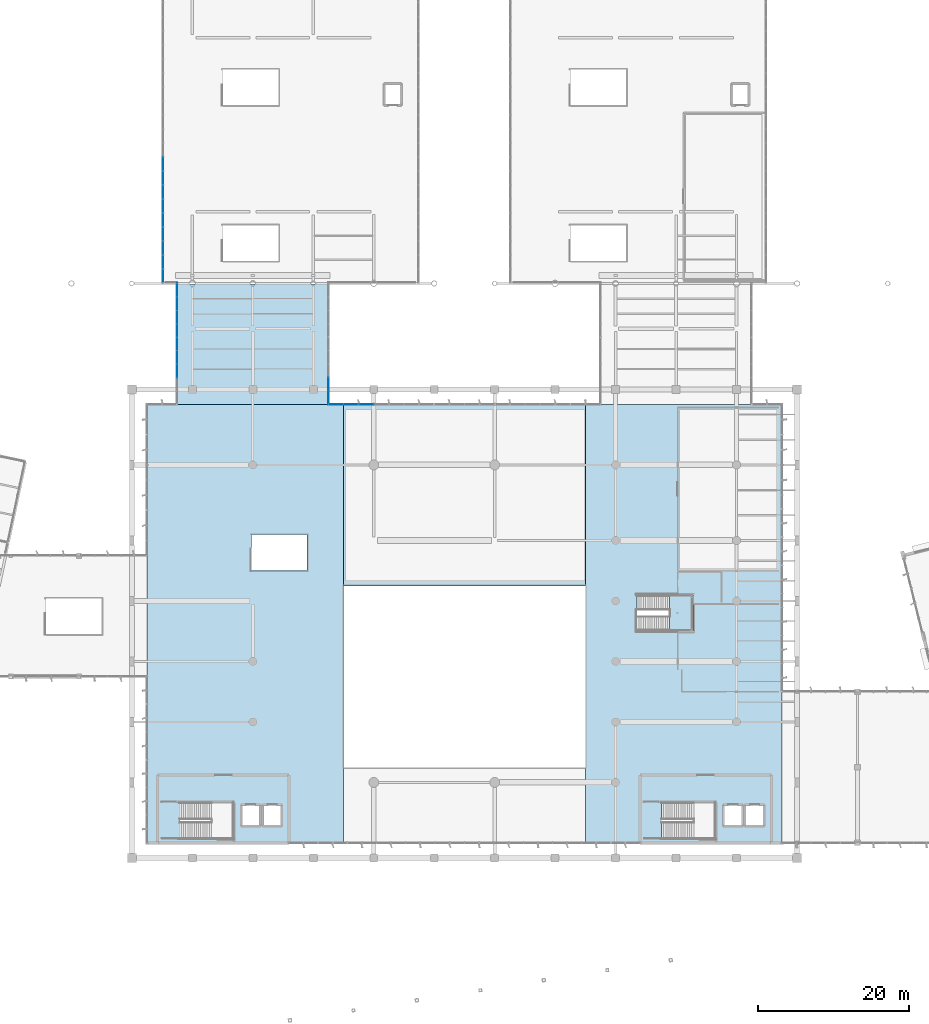
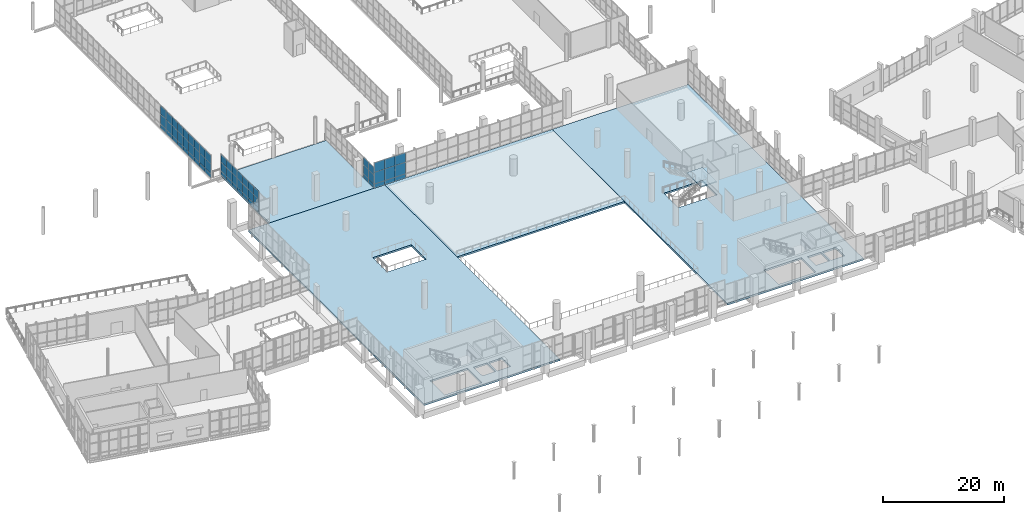
# One storey, part 124 of 176: 63 plates, 5 slabs, 6 elements without a shape of their own.
"""IFC4 building model written with IfcOpenShell, lengths in metres."""

from ifc_helpers import new_model, si_unit, direction, frame, origin, origin_2d, place, context, subcontext, project, spatial, polyline, rectangle, outline, extrude, material, layer, layer_set, type_object, element, aggregate, save


model = new_model("IFC4")

# Units and contexts
model_context = context("Model", 3, precision=1e-05, world=origin(), true_north=direction((0.0, 1.0)))
body_context = subcontext(model_context, "Body", "Model", "MODEL_VIEW")
ifc_project = project(units=[si_unit("LENGTHUNIT", "METRE"), si_unit("AREAUNIT", "SQUARE_METRE"), si_unit("VOLUMEUNIT", "CUBIC_METRE"), si_unit("PLANEANGLEUNIT", "RADIAN"), si_unit("MASSUNIT", "GRAM", prefix="KILO")], contexts=[model_context])

# Site, building, storey
site_placement = place(None, origin())
site = spatial("IfcSite", under=ifc_project, at=site_placement, CompositionType="ELEMENT")
building_placement = place(site_placement, origin())
building = spatial("IfcBuilding", under=site, at=building_placement, Name="Khorjan Park Terminus", CompositionType="ELEMENT")
storey_placement = place(building_placement, frame((0.0, 0.0, 6.0)))
storey = spatial("IfcBuildingStorey", under=building, at=storey_placement, Name="L01", CompositionType="ELEMENT", Elevation=6.0)

# Curtain wall, plates
ifc_material_1 = material(Name="Anodized Bronze Aluminium", Category="aluminium")
ifc_layer_1 = layer(ifc_material_1, 0.22)
ifc_layer_set_1 = layer_set([ifc_layer_1], Name="Anodized Bronze Aluminium")
curtain_wall_type_1 = type_object("IfcCurtainWallType", Name="CW-BRG-D", PredefinedType="NOTDEFINED", material=ifc_layer_set_1)
curtain_wall_1_placement = place(storey_placement, origin())
curtain_wall_1 = element("IfcCurtainWall", 1, at=curtain_wall_1_placement, inside=storey, type_object=curtain_wall_type_1, Name="Unitized curtain wall CW-D (CW-NKW-W-L01)", PredefinedType="NOTDEFINED")
ifc_material_2 = material(Name="Low-E Solar Control Double Glazing", Category="glass")
ifc_layer_2 = layer(ifc_material_2, 0.032)
ifc_layer_set_2 = layer_set([ifc_layer_2], Name="Low-E Solar Control Double Glazing")
plate_type_1 = type_object("IfcPlateType", Name="GL-VIS-32", PredefinedType="CURTAIN_PANEL", material=ifc_layer_set_2)
plate_1_placement = place(storey_placement, frame((54.0, 101.1111, 0.85), z_axis=(0.0, 0.0, 1.0), x_axis=(0.0, -1.0, 0.0)))
plate_1 = element("IfcPlate", 2, at=plate_1_placement, type_object=plate_type_1, Name="Curtain-wall panel VP-32 (CW-NKW-W-L01-0-2)", PredefinedType="CURTAIN_PANEL", context=body_context, shape_type="SweptSolid", body=[
    extrude(rectangle(XDim=1.7778, YDim=0.032, at=origin_2d()), origin(), (0.0, 0.0, 1.0), 1.7695),
])
plate_2_placement = place(storey_placement, frame((54.0, 101.1111, 2.6196), z_axis=(0.0, 0.0, 1.0), x_axis=(0.0, -1.0, 0.0)))
plate_2 = element("IfcPlate", 3, at=plate_2_placement, type_object=plate_type_1, Name="Curtain-wall panel VP-32 (CW-NKW-W-L01-0-3)", PredefinedType="CURTAIN_PANEL", context=body_context, shape_type="SweptSolid", body=[
    extrude(rectangle(XDim=1.7778, YDim=0.032, at=origin_2d()), origin(), (0.0, 0.0, 1.0), 1.6155),
])
plate_3_placement = place(storey_placement, frame((54.0, 99.3333, 0.85), z_axis=(0.0, 0.0, 1.0), x_axis=(0.0, -1.0, 0.0)))
plate_3 = element("IfcPlate", 4, at=plate_3_placement, type_object=plate_type_1, Name="Curtain-wall panel VP-32 (CW-NKW-W-L01-1-2)", PredefinedType="CURTAIN_PANEL", context=body_context, shape_type="SweptSolid", body=[
    extrude(rectangle(XDim=1.7778, YDim=0.032, at=origin_2d()), origin(), (0.0, 0.0, 1.0), 1.7695),
])
plate_4_placement = place(storey_placement, frame((54.0, 99.3333, 2.6196), z_axis=(0.0, 0.0, 1.0), x_axis=(0.0, -1.0, 0.0)))
plate_4 = element("IfcPlate", 5, at=plate_4_placement, type_object=plate_type_1, Name="Curtain-wall panel VP-32 (CW-NKW-W-L01-1-3)", PredefinedType="CURTAIN_PANEL", context=body_context, shape_type="SweptSolid", body=[
    extrude(rectangle(XDim=1.7778, YDim=0.032, at=origin_2d()), origin(), (0.0, 0.0, 1.0), 1.6155),
])
plate_5_placement = place(storey_placement, frame((54.0, 97.5556, 0.85), z_axis=(0.0, 0.0, 1.0), x_axis=(0.0, -1.0, 0.0)))
plate_5 = element("IfcPlate", 6, at=plate_5_placement, type_object=plate_type_1, Name="Curtain-wall panel VP-32 (CW-NKW-W-L01-2-2)", PredefinedType="CURTAIN_PANEL", context=body_context, shape_type="SweptSolid", body=[
    extrude(rectangle(XDim=1.7778, YDim=0.032, at=origin_2d()), origin(), (0.0, 0.0, 1.0), 1.7695),
])
plate_6_placement = place(storey_placement, frame((54.0, 97.5556, 2.6196), z_axis=(0.0, 0.0, 1.0), x_axis=(0.0, -1.0, 0.0)))
plate_6 = element("IfcPlate", 7, at=plate_6_placement, type_object=plate_type_1, Name="Curtain-wall panel VP-32 (CW-NKW-W-L01-2-3)", PredefinedType="CURTAIN_PANEL", context=body_context, shape_type="SweptSolid", body=[
    extrude(rectangle(XDim=1.7778, YDim=0.032, at=origin_2d()), origin(), (0.0, 0.0, 1.0), 1.6155),
])
plate_7_placement = place(storey_placement, frame((54.0, 95.7778, 0.85), z_axis=(0.0, 0.0, 1.0), x_axis=(0.0, -1.0, 0.0)))
plate_7 = element("IfcPlate", 8, at=plate_7_placement, type_object=plate_type_1, Name="Curtain-wall panel VP-32 (CW-NKW-W-L01-3-2)", PredefinedType="CURTAIN_PANEL", context=body_context, shape_type="SweptSolid", body=[
    extrude(rectangle(XDim=1.7778, YDim=0.032, at=origin_2d()), origin(), (0.0, 0.0, 1.0), 1.7695),
])
plate_8_placement = place(storey_placement, frame((54.0, 95.7778, 2.6196), z_axis=(0.0, 0.0, 1.0), x_axis=(0.0, -1.0, 0.0)))
plate_8 = element("IfcPlate", 9, at=plate_8_placement, type_object=plate_type_1, Name="Curtain-wall panel VP-32 (CW-NKW-W-L01-3-3)", PredefinedType="CURTAIN_PANEL", context=body_context, shape_type="SweptSolid", body=[
    extrude(rectangle(XDim=1.7778, YDim=0.032, at=origin_2d()), origin(), (0.0, 0.0, 1.0), 1.6155),
])
plate_9_placement = place(storey_placement, frame((54.0, 94.0, 0.85), z_axis=(0.0, 0.0, 1.0), x_axis=(0.0, -1.0, 0.0)))
plate_9 = element("IfcPlate", 10, at=plate_9_placement, type_object=plate_type_1, Name="Curtain-wall panel VP-32 (CW-NKW-W-L01-4-2)", PredefinedType="CURTAIN_PANEL", context=body_context, shape_type="SweptSolid", body=[
    extrude(rectangle(XDim=1.7778, YDim=0.032, at=origin_2d()), origin(), (0.0, 0.0, 1.0), 1.7695),
])
plate_10_placement = place(storey_placement, frame((54.0, 94.0, 2.6196), z_axis=(0.0, 0.0, 1.0), x_axis=(0.0, -1.0, 0.0)))
plate_10 = element("IfcPlate", 11, at=plate_10_placement, type_object=plate_type_1, Name="Curtain-wall panel VP-32 (CW-NKW-W-L01-4-3)", PredefinedType="CURTAIN_PANEL", context=body_context, shape_type="SweptSolid", body=[
    extrude(rectangle(XDim=1.7778, YDim=0.032, at=origin_2d()), origin(), (0.0, 0.0, 1.0), 1.6155),
])
plate_11_placement = place(storey_placement, frame((54.0, 92.2222, 0.85), z_axis=(0.0, 0.0, 1.0), x_axis=(0.0, -1.0, 0.0)))
plate_11 = element("IfcPlate", 12, at=plate_11_placement, type_object=plate_type_1, Name="Curtain-wall panel VP-32 (CW-NKW-W-L01-5-2)", PredefinedType="CURTAIN_PANEL", context=body_context, shape_type="SweptSolid", body=[
    extrude(rectangle(XDim=1.7778, YDim=0.032, at=origin_2d()), origin(), (0.0, 0.0, 1.0), 1.7695),
])
plate_12_placement = place(storey_placement, frame((54.0, 92.2222, 2.6196), z_axis=(0.0, 0.0, 1.0), x_axis=(0.0, -1.0, 0.0)))
plate_12 = element("IfcPlate", 13, at=plate_12_placement, type_object=plate_type_1, Name="Curtain-wall panel VP-32 (CW-NKW-W-L01-5-3)", PredefinedType="CURTAIN_PANEL", context=body_context, shape_type="SweptSolid", body=[
    extrude(rectangle(XDim=1.7778, YDim=0.032, at=origin_2d()), origin(), (0.0, 0.0, 1.0), 1.6155),
])
plate_13_placement = place(storey_placement, frame((54.0, 90.4444, 0.85), z_axis=(0.0, 0.0, 1.0), x_axis=(0.0, -1.0, 0.0)))
plate_13 = element("IfcPlate", 14, at=plate_13_placement, type_object=plate_type_1, Name="Curtain-wall panel VP-32 (CW-NKW-W-L01-6-2)", PredefinedType="CURTAIN_PANEL", context=body_context, shape_type="SweptSolid", body=[
    extrude(rectangle(XDim=1.7778, YDim=0.032, at=origin_2d()), origin(), (0.0, 0.0, 1.0), 1.7695),
])
plate_14_placement = place(storey_placement, frame((54.0, 90.4444, 2.6196), z_axis=(0.0, 0.0, 1.0), x_axis=(0.0, -1.0, 0.0)))
plate_14 = element("IfcPlate", 15, at=plate_14_placement, type_object=plate_type_1, Name="Curtain-wall panel VP-32 (CW-NKW-W-L01-6-3)", PredefinedType="CURTAIN_PANEL", context=body_context, shape_type="SweptSolid", body=[
    extrude(rectangle(XDim=1.7778, YDim=0.032, at=origin_2d()), origin(), (0.0, 0.0, 1.0), 1.6155),
])

curtain_wall_2_placement = place(storey_placement, origin())
curtain_wall_2 = element("IfcCurtainWall", 16, at=curtain_wall_2_placement, inside=storey, type_object=curtain_wall_type_1, Name="Unitized curtain wall CW-D (CW-NKW-E-L01)", PredefinedType="NOTDEFINED")
plate_15_placement = place(storey_placement, frame((74.0, 86.8889, 0.85), z_axis=(0.0, 0.0, 1.0), x_axis=(0.0, 1.0, 0.0)))
plate_15 = element("IfcPlate", 17, at=plate_15_placement, type_object=plate_type_1, Name="Curtain-wall panel VP-32 (CW-NKW-E-L01-0-2)", PredefinedType="CURTAIN_PANEL", context=body_context, shape_type="SweptSolid", body=[
    extrude(rectangle(XDim=1.7778, YDim=0.032, at=origin_2d()), origin(), (0.0, 0.0, 1.0), 1.7695),
])
plate_16_placement = place(storey_placement, frame((74.0, 86.8889, 2.6196), z_axis=(0.0, 0.0, 1.0), x_axis=(0.0, 1.0, 0.0)))
plate_16 = element("IfcPlate", 18, at=plate_16_placement, type_object=plate_type_1, Name="Curtain-wall panel VP-32 (CW-NKW-E-L01-0-3)", PredefinedType="CURTAIN_PANEL", context=body_context, shape_type="SweptSolid", body=[
    extrude(rectangle(XDim=1.7778, YDim=0.032, at=origin_2d()), origin(), (0.0, 0.0, 1.0), 1.6155),
])
plate_17_placement = place(storey_placement, frame((74.0, 88.6667, 0.85), z_axis=(0.0, 0.0, 1.0), x_axis=(0.0, 1.0, 0.0)))
plate_17 = element("IfcPlate", 19, at=plate_17_placement, type_object=plate_type_1, Name="Curtain-wall panel VP-32 (CW-NKW-E-L01-1-2)", PredefinedType="CURTAIN_PANEL", context=body_context, shape_type="SweptSolid", body=[
    extrude(rectangle(XDim=1.7778, YDim=0.032, at=origin_2d()), origin(), (0.0, 0.0, 1.0), 1.7695),
])
plate_18_placement = place(storey_placement, frame((74.0, 88.6667, 2.6196), z_axis=(0.0, 0.0, 1.0), x_axis=(0.0, 1.0, 0.0)))
plate_18 = element("IfcPlate", 20, at=plate_18_placement, type_object=plate_type_1, Name="Curtain-wall panel VP-32 (CW-NKW-E-L01-1-3)", PredefinedType="CURTAIN_PANEL", context=body_context, shape_type="SweptSolid", body=[
    extrude(rectangle(XDim=1.7778, YDim=0.032, at=origin_2d()), origin(), (0.0, 0.0, 1.0), 1.6155),
])

curtain_wall_3_placement = place(storey_placement, origin())
curtain_wall_3 = element("IfcCurtainWall", 21, at=curtain_wall_3_placement, inside=storey, type_object=curtain_wall_type_1, Name="Unitized curtain wall CW-D (CW-BRW-W-1)", PredefinedType="NOTDEFINED")
plate_19_placement = place(storey_placement, frame((52.1, 114.0786, 0.85), z_axis=(0.0, 0.0, 1.0), x_axis=(0.0, -1.0, 0.0)))
plate_19 = element("IfcPlate", 22, at=plate_19_placement, type_object=plate_type_1, Name="Curtain-wall panel VP-32 (CW-BRW-W-1-0-2)", PredefinedType="CURTAIN_PANEL", context=body_context, shape_type="SweptSolid", body=[
    extrude(rectangle(XDim=1.8429, YDim=0.032, at=origin_2d()), origin(), (0.0, 0.0, 1.0), 2.002),
])
plate_20_placement = place(storey_placement, frame((52.1, 114.0786, 2.852), z_axis=(0.0, 0.0, 1.0), x_axis=(0.0, -1.0, 0.0)))
plate_20 = element("IfcPlate", 23, at=plate_20_placement, type_object=plate_type_1, Name="Curtain-wall panel VP-32 (CW-BRW-W-1-0-3)", PredefinedType="CURTAIN_PANEL", context=body_context, shape_type="SweptSolid", body=[
    extrude(rectangle(XDim=1.8429, YDim=0.032, at=origin_2d()), origin(), (0.0, 0.0, 1.0), 1.758),
])
plate_21_placement = place(storey_placement, frame((52.1, 112.2357, 0.85), z_axis=(0.0, 0.0, 1.0), x_axis=(0.0, -1.0, 0.0)))
plate_21 = element("IfcPlate", 24, at=plate_21_placement, type_object=plate_type_1, Name="Curtain-wall panel VP-32 (CW-BRW-W-1-1-2)", PredefinedType="CURTAIN_PANEL", context=body_context, shape_type="SweptSolid", body=[
    extrude(rectangle(XDim=1.8429, YDim=0.032, at=origin_2d()), origin(), (0.0, 0.0, 1.0), 2.002),
])
plate_22_placement = place(storey_placement, frame((52.1, 112.2357, 2.852), z_axis=(0.0, 0.0, 1.0), x_axis=(0.0, -1.0, 0.0)))
plate_22 = element("IfcPlate", 25, at=plate_22_placement, type_object=plate_type_1, Name="Curtain-wall panel VP-32 (CW-BRW-W-1-1-3)", PredefinedType="CURTAIN_PANEL", context=body_context, shape_type="SweptSolid", body=[
    extrude(rectangle(XDim=1.8429, YDim=0.032, at=origin_2d()), origin(), (0.0, 0.0, 1.0), 1.758),
])
plate_23_placement = place(storey_placement, frame((52.1, 110.3929, 0.85), z_axis=(0.0, 0.0, 1.0), x_axis=(0.0, -1.0, 0.0)))
plate_23 = element("IfcPlate", 26, at=plate_23_placement, type_object=plate_type_1, Name="Curtain-wall panel VP-32 (CW-BRW-W-1-2-2)", PredefinedType="CURTAIN_PANEL", context=body_context, shape_type="SweptSolid", body=[
    extrude(rectangle(XDim=1.8429, YDim=0.032, at=origin_2d()), origin(), (0.0, 0.0, 1.0), 2.002),
])
plate_24_placement = place(storey_placement, frame((52.1, 110.3929, 2.852), z_axis=(0.0, 0.0, 1.0), x_axis=(0.0, -1.0, 0.0)))
plate_24 = element("IfcPlate", 27, at=plate_24_placement, type_object=plate_type_1, Name="Curtain-wall panel VP-32 (CW-BRW-W-1-2-3)", PredefinedType="CURTAIN_PANEL", context=body_context, shape_type="SweptSolid", body=[
    extrude(rectangle(XDim=1.8429, YDim=0.032, at=origin_2d()), origin(), (0.0, 0.0, 1.0), 1.758),
])
plate_25_placement = place(storey_placement, frame((52.1, 108.55, 0.85), z_axis=(0.0, 0.0, 1.0), x_axis=(0.0, -1.0, 0.0)))
plate_25 = element("IfcPlate", 28, at=plate_25_placement, type_object=plate_type_1, Name="Curtain-wall panel VP-32 (CW-BRW-W-1-3-2)", PredefinedType="CURTAIN_PANEL", context=body_context, shape_type="SweptSolid", body=[
    extrude(rectangle(XDim=1.8429, YDim=0.032, at=origin_2d()), origin(), (0.0, 0.0, 1.0), 2.002),
])
plate_26_placement = place(storey_placement, frame((52.1, 108.55, 2.852), z_axis=(0.0, 0.0, 1.0), x_axis=(0.0, -1.0, 0.0)))
plate_26 = element("IfcPlate", 29, at=plate_26_placement, type_object=plate_type_1, Name="Curtain-wall panel VP-32 (CW-BRW-W-1-3-3)", PredefinedType="CURTAIN_PANEL", context=body_context, shape_type="SweptSolid", body=[
    extrude(rectangle(XDim=1.8429, YDim=0.032, at=origin_2d()), origin(), (0.0, 0.0, 1.0), 1.758),
])
plate_27_placement = place(storey_placement, frame((52.1, 106.7072, 0.85), z_axis=(0.0, 0.0, 1.0), x_axis=(0.0, -1.0, 0.0)))
plate_27 = element("IfcPlate", 30, at=plate_27_placement, type_object=plate_type_1, Name="Curtain-wall panel VP-32 (CW-BRW-W-1-4-2)", PredefinedType="CURTAIN_PANEL", context=body_context, shape_type="SweptSolid", body=[
    extrude(rectangle(XDim=1.8429, YDim=0.032, at=origin_2d()), origin(), (0.0, 0.0, 1.0), 2.002),
])
plate_28_placement = place(storey_placement, frame((52.1, 106.7072, 2.852), z_axis=(0.0, 0.0, 1.0), x_axis=(0.0, -1.0, 0.0)))
plate_28 = element("IfcPlate", 31, at=plate_28_placement, type_object=plate_type_1, Name="Curtain-wall panel VP-32 (CW-BRW-W-1-4-3)", PredefinedType="CURTAIN_PANEL", context=body_context, shape_type="SweptSolid", body=[
    extrude(rectangle(XDim=1.8429, YDim=0.032, at=origin_2d()), origin(), (0.0, 0.0, 1.0), 1.758),
])
plate_29_placement = place(storey_placement, frame((52.1, 104.8643, 0.85), z_axis=(0.0, 0.0, 1.0), x_axis=(0.0, -1.0, 0.0)))
plate_29 = element("IfcPlate", 32, at=plate_29_placement, type_object=plate_type_1, Name="Curtain-wall panel VP-32 (CW-BRW-W-1-5-2)", PredefinedType="CURTAIN_PANEL", context=body_context, shape_type="SweptSolid", body=[
    extrude(rectangle(XDim=1.8429, YDim=0.032, at=origin_2d()), origin(), (0.0, 0.0, 1.0), 2.002),
])
plate_30_placement = place(storey_placement, frame((52.1, 104.8643, 2.852), z_axis=(0.0, 0.0, 1.0), x_axis=(0.0, -1.0, 0.0)))
plate_30 = element("IfcPlate", 33, at=plate_30_placement, type_object=plate_type_1, Name="Curtain-wall panel VP-32 (CW-BRW-W-1-5-3)", PredefinedType="CURTAIN_PANEL", context=body_context, shape_type="SweptSolid", body=[
    extrude(rectangle(XDim=1.8429, YDim=0.032, at=origin_2d()), origin(), (0.0, 0.0, 1.0), 1.758),
])
plate_31_placement = place(storey_placement, frame((52.1, 103.0214, 0.85), z_axis=(0.0, 0.0, 1.0), x_axis=(0.0, -1.0, 0.0)))
plate_31 = element("IfcPlate", 34, at=plate_31_placement, type_object=plate_type_1, Name="Curtain-wall panel VP-32 (CW-BRW-W-1-6-2)", PredefinedType="CURTAIN_PANEL", context=body_context, shape_type="SweptSolid", body=[
    extrude(rectangle(XDim=1.8429, YDim=0.032, at=origin_2d()), origin(), (0.0, 0.0, 1.0), 2.002),
])
plate_32_placement = place(storey_placement, frame((52.1, 103.0214, 2.852), z_axis=(0.0, 0.0, 1.0), x_axis=(0.0, -1.0, 0.0)))
plate_32 = element("IfcPlate", 35, at=plate_32_placement, type_object=plate_type_1, Name="Curtain-wall panel VP-32 (CW-BRW-W-1-6-3)", PredefinedType="CURTAIN_PANEL", context=body_context, shape_type="SweptSolid", body=[
    extrude(rectangle(XDim=1.8429, YDim=0.032, at=origin_2d()), origin(), (0.0, 0.0, 1.0), 1.758),
])

curtain_wall_4_placement = place(storey_placement, origin())
curtain_wall_4 = element("IfcCurtainWall", 36, at=curtain_wall_4_placement, inside=storey, type_object=curtain_wall_type_1, Name="Unitized curtain wall CW-D (CW-BRW-W-2)", PredefinedType="NOTDEFINED")
plate_33_placement = place(storey_placement, frame((52.1, 117.7857, 0.85), z_axis=(0.0, 0.0, 1.0), x_axis=(0.0, -1.0, 0.0)))
plate_33 = element("IfcPlate", 37, at=plate_33_placement, type_object=plate_type_1, Name="Curtain-wall panel VP-32 (CW-BRW-W-2-5-2)", PredefinedType="CURTAIN_PANEL", context=body_context, shape_type="SweptSolid", body=[
    extrude(rectangle(XDim=1.8571, YDim=0.032, at=origin_2d()), origin(), (0.0, 0.0, 1.0), 2.002),
])
plate_34_placement = place(storey_placement, frame((52.1, 117.7857, 2.852), z_axis=(0.0, 0.0, 1.0), x_axis=(0.0, -1.0, 0.0)))
plate_34 = element("IfcPlate", 38, at=plate_34_placement, type_object=plate_type_1, Name="Curtain-wall panel VP-32 (CW-BRW-W-2-5-3)", PredefinedType="CURTAIN_PANEL", context=body_context, shape_type="SweptSolid", body=[
    extrude(rectangle(XDim=1.8571, YDim=0.032, at=origin_2d()), origin(), (0.0, 0.0, 1.0), 1.758),
])
plate_35_placement = place(storey_placement, frame((52.1, 115.9286, 0.85), z_axis=(0.0, 0.0, 1.0), x_axis=(0.0, -1.0, 0.0)))
plate_35 = element("IfcPlate", 39, at=plate_35_placement, type_object=plate_type_1, Name="Curtain-wall panel VP-32 (CW-BRW-W-2-6-2)", PredefinedType="CURTAIN_PANEL", context=body_context, shape_type="SweptSolid", body=[
    extrude(rectangle(XDim=1.8571, YDim=0.032, at=origin_2d()), origin(), (0.0, 0.0, 1.0), 2.002),
])
plate_36_placement = place(storey_placement, frame((52.1, 115.9286, 2.852), z_axis=(0.0, 0.0, 1.0), x_axis=(0.0, -1.0, 0.0)))
plate_36 = element("IfcPlate", 40, at=plate_36_placement, type_object=plate_type_1, Name="Curtain-wall panel VP-32 (CW-BRW-W-2-6-3)", PredefinedType="CURTAIN_PANEL", context=body_context, shape_type="SweptSolid", body=[
    extrude(rectangle(XDim=1.8571, YDim=0.032, at=origin_2d()), origin(), (0.0, 0.0, 1.0), 1.758),
])

ifc_layer_3 = layer(ifc_material_1, 0.22)
ifc_layer_set_3 = layer_set([ifc_layer_3], Name="Anodized Bronze Aluminium")
curtain_wall_type_2 = type_object("IfcCurtainWallType", Name="CW-CONC-A", PredefinedType="NOTDEFINED", material=ifc_layer_set_3)
curtain_wall_5_placement = place(storey_placement, origin())
curtain_wall_5 = element("IfcCurtainWall", 41, at=curtain_wall_5_placement, inside=storey, type_object=curtain_wall_type_2, Name="Unitized curtain wall CW-A (CW-V2-N-L01-03)", PredefinedType="NOTDEFINED")
ifc_material_3 = material(Name="Triple Low-E High-Selectivity Glazing", Category="glass")
ifc_layer_4 = layer(ifc_material_3, 0.04)
ifc_layer_set_4 = layer_set([ifc_layer_4], Name="Triple Low-E High-Selectivity Glazing")
plate_type_2 = type_object("IfcPlateType", Name="GL-VIS-40", PredefinedType="CURTAIN_PANEL", material=ifc_layer_set_4)
plate_37_placement = place(storey_placement, frame((79.0, 86.0, 0.85), z_axis=(0.0, 0.0, 1.0), x_axis=(-1.0, 0.0, 0.0)))
plate_37 = element("IfcPlate", 42, at=plate_37_placement, type_object=plate_type_2, Name="Curtain-wall panel VP-40 (CW-V2-N-L01-03-2-2)", PredefinedType="CURTAIN_PANEL", context=body_context, shape_type="SweptSolid", body=[
    extrude(rectangle(XDim=2.0, YDim=0.04, at=origin_2d()), origin(), (0.0, 0.0, 1.0), 2.343),
])
plate_38_placement = place(storey_placement, frame((79.0, 86.0, 3.193), z_axis=(0.0, 0.0, 1.0), x_axis=(-1.0, 0.0, 0.0)))
plate_38 = element("IfcPlate", 43, at=plate_38_placement, type_object=plate_type_2, Name="Curtain-wall panel VP-40 (CW-V2-N-L01-03-2-3)", PredefinedType="CURTAIN_PANEL", context=body_context, shape_type="SweptSolid", body=[
    extrude(rectangle(XDim=2.0, YDim=0.04, at=origin_2d()), origin(), (0.0, 0.0, 1.0), 1.967),
])
plate_39_placement = place(storey_placement, frame((77.0, 86.0, 0.85), z_axis=(0.0, 0.0, 1.0), x_axis=(-1.0, 0.0, 0.0)))
plate_39 = element("IfcPlate", 44, at=plate_39_placement, type_object=plate_type_2, Name="Curtain-wall panel VP-40 (CW-V2-N-L01-03-3-2)", PredefinedType="CURTAIN_PANEL", context=body_context, shape_type="SweptSolid", body=[
    extrude(rectangle(XDim=2.0, YDim=0.04, at=origin_2d()), origin(), (0.0, 0.0, 1.0), 2.343),
])
plate_40_placement = place(storey_placement, frame((77.0, 86.0, 3.193), z_axis=(0.0, 0.0, 1.0), x_axis=(-1.0, 0.0, 0.0)))
plate_40 = element("IfcPlate", 45, at=plate_40_placement, type_object=plate_type_2, Name="Curtain-wall panel VP-40 (CW-V2-N-L01-03-3-3)", PredefinedType="CURTAIN_PANEL", context=body_context, shape_type="SweptSolid", body=[
    extrude(rectangle(XDim=2.0, YDim=0.04, at=origin_2d()), origin(), (0.0, 0.0, 1.0), 1.967),
])
plate_41_placement = place(storey_placement, frame((75.0, 86.0, 0.85), z_axis=(0.0, 0.0, 1.0), x_axis=(-1.0, 0.0, 0.0)))
plate_41 = element("IfcPlate", 46, at=plate_41_placement, type_object=plate_type_2, Name="Curtain-wall panel VP-40 (CW-V2-N-L01-03-4-2)", PredefinedType="CURTAIN_PANEL", context=body_context, shape_type="SweptSolid", body=[
    extrude(rectangle(XDim=2.0, YDim=0.04, at=origin_2d()), origin(), (0.0, 0.0, 1.0), 2.343),
])
plate_42_placement = place(storey_placement, frame((75.0, 86.0, 3.193), z_axis=(0.0, 0.0, 1.0), x_axis=(-1.0, 0.0, 0.0)))
plate_42 = element("IfcPlate", 47, at=plate_42_placement, type_object=plate_type_2, Name="Curtain-wall panel VP-40 (CW-V2-N-L01-03-4-3)", PredefinedType="CURTAIN_PANEL", context=body_context, shape_type="SweptSolid", body=[
    extrude(rectangle(XDim=2.0, YDim=0.04, at=origin_2d()), origin(), (0.0, 0.0, 1.0), 1.967),
])

# Slabs
ifc_material_4 = material(Name="Concrete C40/50", Category="concrete")
ifc_layer_5 = layer(ifc_material_4, 0.34)
ifc_layer_set_5 = layer_set([ifc_layer_5], Name="Concrete C40/50")
slab_type_1 = type_object("IfcSlabType", Name="SL-FLR-340", PredefinedType="FLOOR", material=ifc_layer_set_5)
slab_1_placement = place(storey_placement, frame((0.0, 0.0, -0.34)))
element("IfcSlab", 48, at=slab_1_placement, inside=storey, type_object=slab_type_1, Name="Structural floor slab FS-34 (L01-NK-W)", PredefinedType="FLOOR", context=body_context, shape_type="SweptSolid", body=[
    extrude(outline(polyline([(54.0, 101.95), (74.0, 101.95), (74.0, 86.0), (54.0, 86.0), (54.0, 101.95)])), origin(), (0.0, 0.0, 1.0), 0.34),
])
ifc_layer_6 = layer(ifc_material_4, 0.35)
ifc_layer_set_6 = layer_set([ifc_layer_6], Name="Concrete C40/50")
slab_type_2 = type_object("IfcSlabType", Name="SL-FLR-350", PredefinedType="FLOOR", material=ifc_layer_set_6)
slab_2_placement = place(storey_placement, frame((0.0, 0.0, -0.35)))
element("IfcSlab", 49, at=slab_2_placement, inside=storey, type_object=slab_type_2, Name="Structural floor slab FS-35 (L01-V2-N)", PredefinedType="FLOOR", context=body_context, shape_type="SweptSolid", body=[
    extrude(outline(polyline([(76.0, 86.0), (108.0, 86.0), (108.0, 62.0), (76.0, 62.0), (76.0, 86.0)])), origin(), (0.0, 0.0, 1.0), 0.35),
])
ifc_layer_7 = layer(ifc_material_4, 0.36)
ifc_layer_set_7 = layer_set([ifc_layer_7], Name="Concrete C40/50")
slab_type_3 = type_object("IfcSlabType", Name="SL-FLR-360", PredefinedType="FLOOR", material=ifc_layer_set_7)
slab_3_placement = place(storey_placement, frame((0.0, 0.0, -0.36)))
element("IfcSlab", 50, at=slab_3_placement, inside=storey, type_object=slab_type_3, Name="Structural floor slab FS-36 (L01-V2-W)", PredefinedType="FLOOR", context=body_context, shape_type="SweptSolid", body=[
    extrude(outline(polyline([(50.0, 86.0), (76.0, 86.0), (76.0, 28.0), (50.0, 28.0), (50.0, 86.0)]), holes=[polyline([(61.4, 28.55), (61.4, 33.31), (54.275, 33.31), (54.275, 28.55), (61.4, 28.55)]), polyline([(62.45, 30.21), (64.99, 30.21), (64.99, 33.05), (62.45, 33.05), (62.45, 30.21)]), polyline([(65.31, 30.21), (67.85, 30.21), (67.85, 33.05), (65.31, 33.05), (65.31, 30.21)]), polyline([(71.2, 64.0), (71.2, 68.8), (63.815, 68.8), (63.815, 64.0), (71.2, 64.0)])]), origin(), (0.0, 0.0, 1.0), 0.36),
])
slab_4_placement = place(storey_placement, frame((0.0, 0.0, -0.36)))
element("IfcSlab", 51, at=slab_4_placement, inside=storey, type_object=slab_type_3, Name="Structural floor slab FS-36 (L01-V2-E)", PredefinedType="FLOOR", context=body_context, shape_type="SweptSolid", body=[
    extrude(outline(polyline([(108.0, 86.0), (134.0, 86.0), (134.0, 28.0), (108.0, 28.0), (108.0, 86.0)]), holes=[polyline([(118.075, 28.55), (125.2, 28.55), (125.2, 33.31), (118.075, 33.31), (118.075, 28.55)]), polyline([(126.25, 30.21), (128.79, 30.21), (128.79, 33.05), (126.25, 33.05), (126.25, 30.21)]), polyline([(129.11, 30.21), (131.65, 30.21), (131.65, 33.05), (129.11, 33.05), (129.11, 30.21)]), polyline([(122.2, 56.0), (122.2, 60.8), (114.815, 60.8), (114.815, 56.0), (122.2, 56.0)])]), origin(), (0.0, 0.0, 1.0), 0.36),
])

# Stair, slab
stair_type = type_object("IfcStairType", Name="STR-PUB-190", PredefinedType="HALF_TURN_STAIR", material=ifc_material_4)
stair_placement = place(storey_placement, origin())
stair = element("IfcStair", 52, at=stair_placement, inside=storey, type_object=stair_type, Name="Public passenger half-turn stair CS-05", PredefinedType="HALF_TURN_STAIR")
ifc_layer_8 = layer(ifc_material_4, 0.2)
ifc_layer_set_8 = layer_set([ifc_layer_8], Name="Concrete C40/50")
slab_type_4 = type_object("IfcSlabType", Name="SL-LND-200", PredefinedType="LANDING", material=ifc_layer_set_8)
slab_5_placement = place(storey_placement, frame((0.0, 0.0, 2.5)))
slab_5 = element("IfcSlab", 53, at=slab_5_placement, type_object=slab_type_4, Name="Stair CS-05 intermediate half-landing LS-20", PredefinedType="LANDING", context=body_context, shape_type="SweptSolid", body=[
    extrude(outline(polyline([(119.135, 56.06), (122.18, 56.06), (122.18, 60.74), (119.135, 60.74), (119.135, 56.06)])), origin(), (0.0, 0.0, 1.0), 0.2),
])
aggregate(stair, [slab_5])

# Plate
ifc_material_5 = material(Name="Insulated Anodized Bronze Spandrel Panel")
ifc_layer_9 = layer(ifc_material_5, 0.045)
ifc_layer_set_9 = layer_set([ifc_layer_9], Name="Insulated Anodized Bronze Spandrel Panel")
plate_type_3 = type_object("IfcPlateType", Name="SP-AL-45", PredefinedType="CURTAIN_PANEL", material=ifc_layer_set_9)
plate_43_placement = place(storey_placement, frame((79.0, 86.0, -0.01), z_axis=(0.0, 0.0, 1.0), x_axis=(-1.0, 0.0, 0.0)))
plate_43 = element("IfcPlate", 54, at=plate_43_placement, type_object=plate_type_3, Name="Curtain-wall panel SP-A45 (CW-V2-N-L01-03-2-1)", PredefinedType="CURTAIN_PANEL", context=body_context, shape_type="SweptSolid", body=[
    extrude(rectangle(XDim=2.0, YDim=0.045, at=origin_2d()), origin(), (0.0, 0.0, 1.0), 0.86),
])

plate_44_placement = place(storey_placement, frame((77.0, 86.0, -0.01), z_axis=(0.0, 0.0, 1.0), x_axis=(-1.0, 0.0, 0.0)))
plate_44 = element("IfcPlate", 55, at=plate_44_placement, type_object=plate_type_3, Name="Curtain-wall panel SP-A45 (CW-V2-N-L01-03-3-1)", PredefinedType="CURTAIN_PANEL", context=body_context, shape_type="SweptSolid", body=[
    extrude(rectangle(XDim=2.0, YDim=0.045, at=origin_2d()), origin(), (0.0, 0.0, 1.0), 0.86),
])

plate_45_placement = place(storey_placement, frame((75.0, 86.0, -0.01), z_axis=(0.0, 0.0, 1.0), x_axis=(-1.0, 0.0, 0.0)))
plate_45 = element("IfcPlate", 56, at=plate_45_placement, type_object=plate_type_3, Name="Curtain-wall panel SP-A45 (CW-V2-N-L01-03-4-1)", PredefinedType="CURTAIN_PANEL", context=body_context, shape_type="SweptSolid", body=[
    extrude(rectangle(XDim=2.0, YDim=0.045, at=origin_2d()), origin(), (0.0, 0.0, 1.0), 0.86),
])

aggregate(curtain_wall_5, [plate_43, plate_37, plate_38, plate_44, plate_39, plate_40, plate_45, plate_41, plate_42])

plate_46_placement = place(storey_placement, frame((54.0, 101.1111, -0.01), z_axis=(0.0, 0.0, 1.0), x_axis=(0.0, -1.0, 0.0)))
plate_46 = element("IfcPlate", 57, at=plate_46_placement, type_object=plate_type_3, Name="Curtain-wall panel SP-A45 (CW-NKW-W-L01-0-1)", PredefinedType="CURTAIN_PANEL", context=body_context, shape_type="SweptSolid", body=[
    extrude(rectangle(XDim=1.7778, YDim=0.045, at=origin_2d()), origin(), (0.0, 0.0, 1.0), 0.86),
])

plate_47_placement = place(storey_placement, frame((54.0, 99.3333, -0.01), z_axis=(0.0, 0.0, 1.0), x_axis=(0.0, -1.0, 0.0)))
plate_47 = element("IfcPlate", 58, at=plate_47_placement, type_object=plate_type_3, Name="Curtain-wall panel SP-A45 (CW-NKW-W-L01-1-1)", PredefinedType="CURTAIN_PANEL", context=body_context, shape_type="SweptSolid", body=[
    extrude(rectangle(XDim=1.7778, YDim=0.045, at=origin_2d()), origin(), (0.0, 0.0, 1.0), 0.86),
])

plate_48_placement = place(storey_placement, frame((54.0, 97.5556, -0.01), z_axis=(0.0, 0.0, 1.0), x_axis=(0.0, -1.0, 0.0)))
plate_48 = element("IfcPlate", 59, at=plate_48_placement, type_object=plate_type_3, Name="Curtain-wall panel SP-A45 (CW-NKW-W-L01-2-1)", PredefinedType="CURTAIN_PANEL", context=body_context, shape_type="SweptSolid", body=[
    extrude(rectangle(XDim=1.7778, YDim=0.045, at=origin_2d()), origin(), (0.0, 0.0, 1.0), 0.86),
])

plate_49_placement = place(storey_placement, frame((54.0, 95.7778, -0.01), z_axis=(0.0, 0.0, 1.0), x_axis=(0.0, -1.0, 0.0)))
plate_49 = element("IfcPlate", 60, at=plate_49_placement, type_object=plate_type_3, Name="Curtain-wall panel SP-A45 (CW-NKW-W-L01-3-1)", PredefinedType="CURTAIN_PANEL", context=body_context, shape_type="SweptSolid", body=[
    extrude(rectangle(XDim=1.7778, YDim=0.045, at=origin_2d()), origin(), (0.0, 0.0, 1.0), 0.86),
])

plate_50_placement = place(storey_placement, frame((54.0, 94.0, -0.01), z_axis=(0.0, 0.0, 1.0), x_axis=(0.0, -1.0, 0.0)))
plate_50 = element("IfcPlate", 61, at=plate_50_placement, type_object=plate_type_3, Name="Curtain-wall panel SP-A45 (CW-NKW-W-L01-4-1)", PredefinedType="CURTAIN_PANEL", context=body_context, shape_type="SweptSolid", body=[
    extrude(rectangle(XDim=1.7778, YDim=0.045, at=origin_2d()), origin(), (0.0, 0.0, 1.0), 0.86),
])

plate_51_placement = place(storey_placement, frame((54.0, 92.2222, -0.01), z_axis=(0.0, 0.0, 1.0), x_axis=(0.0, -1.0, 0.0)))
plate_51 = element("IfcPlate", 62, at=plate_51_placement, type_object=plate_type_3, Name="Curtain-wall panel SP-A45 (CW-NKW-W-L01-5-1)", PredefinedType="CURTAIN_PANEL", context=body_context, shape_type="SweptSolid", body=[
    extrude(rectangle(XDim=1.7778, YDim=0.045, at=origin_2d()), origin(), (0.0, 0.0, 1.0), 0.86),
])

plate_52_placement = place(storey_placement, frame((54.0, 90.4444, -0.01), z_axis=(0.0, 0.0, 1.0), x_axis=(0.0, -1.0, 0.0)))
plate_52 = element("IfcPlate", 63, at=plate_52_placement, type_object=plate_type_3, Name="Curtain-wall panel SP-A45 (CW-NKW-W-L01-6-1)", PredefinedType="CURTAIN_PANEL", context=body_context, shape_type="SweptSolid", body=[
    extrude(rectangle(XDim=1.7778, YDim=0.045, at=origin_2d()), origin(), (0.0, 0.0, 1.0), 0.86),
])

aggregate(curtain_wall_1, [plate_46, plate_1, plate_2, plate_47, plate_3, plate_4, plate_48, plate_5, plate_6, plate_49, plate_7, plate_8, plate_50, plate_9, plate_10, plate_51, plate_11, plate_12, plate_52, plate_13, plate_14])

plate_53_placement = place(storey_placement, frame((74.0, 86.8889, -0.01), z_axis=(0.0, 0.0, 1.0), x_axis=(0.0, 1.0, 0.0)))
plate_53 = element("IfcPlate", 64, at=plate_53_placement, type_object=plate_type_3, Name="Curtain-wall panel SP-A45 (CW-NKW-E-L01-0-1)", PredefinedType="CURTAIN_PANEL", context=body_context, shape_type="SweptSolid", body=[
    extrude(rectangle(XDim=1.7778, YDim=0.045, at=origin_2d()), origin(), (0.0, 0.0, 1.0), 0.86),
])

plate_54_placement = place(storey_placement, frame((74.0, 88.6667, -0.01), z_axis=(0.0, 0.0, 1.0), x_axis=(0.0, 1.0, 0.0)))
plate_54 = element("IfcPlate", 65, at=plate_54_placement, type_object=plate_type_3, Name="Curtain-wall panel SP-A45 (CW-NKW-E-L01-1-1)", PredefinedType="CURTAIN_PANEL", context=body_context, shape_type="SweptSolid", body=[
    extrude(rectangle(XDim=1.7778, YDim=0.045, at=origin_2d()), origin(), (0.0, 0.0, 1.0), 0.86),
])

aggregate(curtain_wall_2, [plate_53, plate_15, plate_16, plate_54, plate_17, plate_18])

plate_55_placement = place(storey_placement, frame((52.1, 114.0786, -0.01), z_axis=(0.0, 0.0, 1.0), x_axis=(0.0, -1.0, 0.0)))
plate_55 = element("IfcPlate", 66, at=plate_55_placement, type_object=plate_type_3, Name="Curtain-wall panel SP-A45 (CW-BRW-W-1-0-1)", PredefinedType="CURTAIN_PANEL", context=body_context, shape_type="SweptSolid", body=[
    extrude(rectangle(XDim=1.8429, YDim=0.045, at=origin_2d()), origin(), (0.0, 0.0, 1.0), 0.86),
])

plate_56_placement = place(storey_placement, frame((52.1, 112.2357, -0.01), z_axis=(0.0, 0.0, 1.0), x_axis=(0.0, -1.0, 0.0)))
plate_56 = element("IfcPlate", 67, at=plate_56_placement, type_object=plate_type_3, Name="Curtain-wall panel SP-A45 (CW-BRW-W-1-1-1)", PredefinedType="CURTAIN_PANEL", context=body_context, shape_type="SweptSolid", body=[
    extrude(rectangle(XDim=1.8429, YDim=0.045, at=origin_2d()), origin(), (0.0, 0.0, 1.0), 0.86),
])

plate_57_placement = place(storey_placement, frame((52.1, 110.3929, -0.01), z_axis=(0.0, 0.0, 1.0), x_axis=(0.0, -1.0, 0.0)))
plate_57 = element("IfcPlate", 68, at=plate_57_placement, type_object=plate_type_3, Name="Curtain-wall panel SP-A45 (CW-BRW-W-1-2-1)", PredefinedType="CURTAIN_PANEL", context=body_context, shape_type="SweptSolid", body=[
    extrude(rectangle(XDim=1.8429, YDim=0.045, at=origin_2d()), origin(), (0.0, 0.0, 1.0), 0.86),
])

plate_58_placement = place(storey_placement, frame((52.1, 108.55, -0.01), z_axis=(0.0, 0.0, 1.0), x_axis=(0.0, -1.0, 0.0)))
plate_58 = element("IfcPlate", 69, at=plate_58_placement, type_object=plate_type_3, Name="Curtain-wall panel SP-A45 (CW-BRW-W-1-3-1)", PredefinedType="CURTAIN_PANEL", context=body_context, shape_type="SweptSolid", body=[
    extrude(rectangle(XDim=1.8429, YDim=0.045, at=origin_2d()), origin(), (0.0, 0.0, 1.0), 0.86),
])

plate_59_placement = place(storey_placement, frame((52.1, 106.7072, -0.01), z_axis=(0.0, 0.0, 1.0), x_axis=(0.0, -1.0, 0.0)))
plate_59 = element("IfcPlate", 70, at=plate_59_placement, type_object=plate_type_3, Name="Curtain-wall panel SP-A45 (CW-BRW-W-1-4-1)", PredefinedType="CURTAIN_PANEL", context=body_context, shape_type="SweptSolid", body=[
    extrude(rectangle(XDim=1.8429, YDim=0.045, at=origin_2d()), origin(), (0.0, 0.0, 1.0), 0.86),
])

plate_60_placement = place(storey_placement, frame((52.1, 104.8643, -0.01), z_axis=(0.0, 0.0, 1.0), x_axis=(0.0, -1.0, 0.0)))
plate_60 = element("IfcPlate", 71, at=plate_60_placement, type_object=plate_type_3, Name="Curtain-wall panel SP-A45 (CW-BRW-W-1-5-1)", PredefinedType="CURTAIN_PANEL", context=body_context, shape_type="SweptSolid", body=[
    extrude(rectangle(XDim=1.8429, YDim=0.045, at=origin_2d()), origin(), (0.0, 0.0, 1.0), 0.86),
])

plate_61_placement = place(storey_placement, frame((52.1, 103.0214, -0.01), z_axis=(0.0, 0.0, 1.0), x_axis=(0.0, -1.0, 0.0)))
plate_61 = element("IfcPlate", 72, at=plate_61_placement, type_object=plate_type_3, Name="Curtain-wall panel SP-A45 (CW-BRW-W-1-6-1)", PredefinedType="CURTAIN_PANEL", context=body_context, shape_type="SweptSolid", body=[
    extrude(rectangle(XDim=1.8429, YDim=0.045, at=origin_2d()), origin(), (0.0, 0.0, 1.0), 0.86),
])

aggregate(curtain_wall_3, [plate_55, plate_19, plate_20, plate_56, plate_21, plate_22, plate_57, plate_23, plate_24, plate_58, plate_25, plate_26, plate_59, plate_27, plate_28, plate_60, plate_29, plate_30, plate_61, plate_31, plate_32])

plate_62_placement = place(storey_placement, frame((52.1, 117.7857, -0.01), z_axis=(0.0, 0.0, 1.0), x_axis=(0.0, -1.0, 0.0)))
plate_62 = element("IfcPlate", 73, at=plate_62_placement, type_object=plate_type_3, Name="Curtain-wall panel SP-A45 (CW-BRW-W-2-5-1)", PredefinedType="CURTAIN_PANEL", context=body_context, shape_type="SweptSolid", body=[
    extrude(rectangle(XDim=1.8571, YDim=0.045, at=origin_2d()), origin(), (0.0, 0.0, 1.0), 0.86),
])

plate_63_placement = place(storey_placement, frame((52.1, 115.9286, -0.01), z_axis=(0.0, 0.0, 1.0), x_axis=(0.0, -1.0, 0.0)))
plate_63 = element("IfcPlate", 74, at=plate_63_placement, type_object=plate_type_3, Name="Curtain-wall panel SP-A45 (CW-BRW-W-2-6-1)", PredefinedType="CURTAIN_PANEL", context=body_context, shape_type="SweptSolid", body=[
    extrude(rectangle(XDim=1.8571, YDim=0.045, at=origin_2d()), origin(), (0.0, 0.0, 1.0), 0.86),
])

aggregate(curtain_wall_4, [plate_62, plate_33, plate_34, plate_63, plate_35, plate_36])

save(model, "model.ifc")
